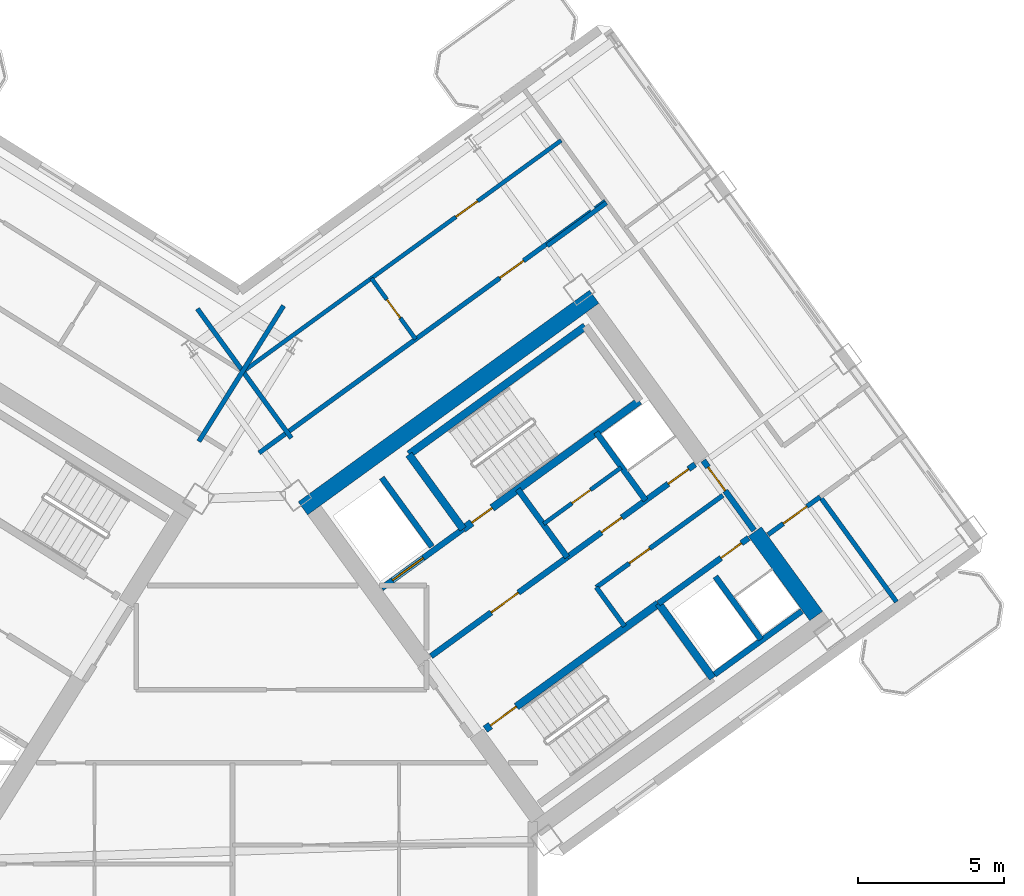
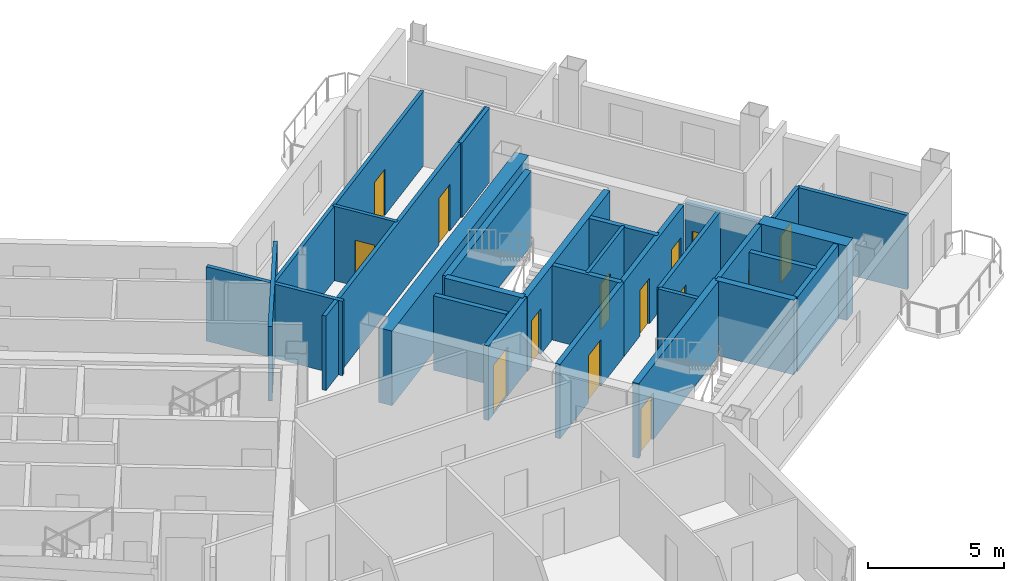
# One storey, part 14 of 20: 28 walls, 14 doors, 14 openings.
"""IFC4 building model written with IfcOpenShell, lengths in metres."""

from ifc_helpers import new_model, si_unit, direction, frame, frame_2d, origin, place, context, subcontext, project, spatial, rectangle, extrude, source, transform, mapped, material, layer, layer_set, type_object, element, fill, save


model = new_model("IFC4")

# Units and contexts
model_context = context("Model", 3, precision=1e-05, world=origin(), true_north=direction((0.0, 1.0)))
body_context = subcontext(model_context, "Body", "Model", "MODEL_VIEW")
ifc_project = project(units=[si_unit("LENGTHUNIT", "METRE"), si_unit("AREAUNIT", "SQUARE_METRE"), si_unit("VOLUMEUNIT", "CUBIC_METRE"), si_unit("PLANEANGLEUNIT", "RADIAN"), si_unit("MASSUNIT", "GRAM", prefix="KILO")], contexts=[model_context])

# Site, building, storey
site_placement = place(None, origin())
site = spatial("IfcSite", under=ifc_project, at=site_placement, CompositionType="ELEMENT")
building_placement = place(site_placement, origin())
building = spatial("IfcBuilding", under=site, at=building_placement, Name="Tlacorven Tower", CompositionType="ELEMENT")
storey_placement = place(building_placement, frame((0.0, 0.0, 204.0)))
storey = spatial("IfcBuildingStorey", under=building, at=storey_placement, Name="L51", CompositionType="ELEMENT", Elevation=204.0)

# Walls
ifc_material_1 = material(Name="Concrete C60/75", Category="concrete")
ifc_layer_1 = layer(ifc_material_1, 0.550048828125)
ifc_layer_set_1 = layer_set([ifc_layer_1], Name="Concrete C60/75")
wall_type_1 = type_object("IfcWallType", Name="WL-COR-550", PredefinedType="SHEAR", material=ifc_layer_set_1)
wall_1_placement = place(storey_placement, frame((44.364990234375, 24.142333984375, 0.0), z_axis=(0.0, 0.0, 1.0), x_axis=(0.809024304885, 0.587775190107, 0.0)))
element("IfcWall", 1, at=wall_1_placement, inside=storey, type_object=wall_type_1, Name="L51 E core shear wall S2", PredefinedType="SHEAR", context=body_context, shape_type="SweptSolid", body=[
    extrude(rectangle(XDim=12.340087890625, YDim=0.550048828125, at=frame_2d((6.169921875, 0.0))), origin(), (0.0, 0.0, 1.0), 3.35009765625),
])
wall_2_placement = place(storey_placement, frame((61.9580078125, 20.453857421875, 0.0), z_axis=(0.0, 0.0, 1.0), x_axis=(-0.587802113096, 0.809004744015, 0.0)))
element("IfcWall", 2, at=wall_2_placement, inside=storey, type_object=wall_type_1, Name="L51 E core end wall E2.1", PredefinedType="SHEAR", context=body_context, shape_type="SweptSolid", body=[
    extrude(rectangle(XDim=3.574951171875, YDim=0.550048828125, at=frame_2d((1.78759765625, 0.0))), origin(), (0.0, 0.0, 1.0), 3.35009765625),
])

# Wall, opening, door
ifc_material_2 = material(Name="Gypsum plasterboard acoustic partition", Category="gypsum")
ifc_layer_2 = layer(ifc_material_2, 0.159912109375)
ifc_layer_set_2 = layer_set([ifc_layer_2], Name="Gypsum plasterboard acoustic partition")
wall_type_2 = type_object("IfcWallType", Name="WL-DEM-160", PredefinedType="PARTITIONING", material=ifc_layer_set_2)
wall_3_placement = place(storey_placement, frame((54.421142578125, 21.436279296875, 0.0), z_axis=(0.0, 0.0, 1.0), x_axis=(0.809013710463, 0.587789772183, 0.0)))
wall_3 = element("IfcWall", 3, at=wall_3_placement, inside=storey, type_object=wall_type_2, Name="L51 partition 33", PredefinedType="PARTITIONING", context=body_context, shape_type="SweptSolid", body=[
    extrude(rectangle(XDim=5.360107421875, YDim=0.159912109375, at=frame_2d((2.68017578125, 0.0))), origin(), (0.0, 0.0, 1.0), 3.340087890625),
])
opening_1_placement = place(wall_3_placement, frame((1.39990234375, 0.0, 0.0)))
opening_1 = element("IfcOpeningElement", 4, at=opening_1_placement, cuts=wall_3, Name="Opening D19", PredefinedType="OPENING", context=body_context, shape_type="SweptSolid", body=[
    extrude(rectangle(XDim=0.860107421875, YDim=2.050048828125, at=frame_2d((0.43017578125, 1.02490234375))), frame((0.0, 0.08984375, 0.0), z_axis=(0.0, -1.0, 0.0), x_axis=(1.0, 0.0, 0.0)), (0.0, 0.0, 1.0), 0.179931640625),
])
ifc_material_3 = material(Name="Fire-rated steel door assembly", Category="steel")
door_type_1 = type_object("IfcDoorType", Name="DR-RSR-FD60-0860", OperationType="NOTDEFINED", PredefinedType="DOOR", material=ifc_material_3)
shared_shape_1 = source(origin(), body_context, "Body", "SweptSolid", [
    extrude(rectangle(XDim=0.860107421875, YDim=2.050048828125, at=frame_2d((0.43017578125, 1.02490234375))), frame((0.0, 0.02490234375, 0.0), z_axis=(0.0, -1.0, 0.0), x_axis=(1.0, 0.0, 0.0)), (0.0, 0.0, 1.0), 0.050048828125),
])
door_1_placement = place(opening_1_placement, origin())
door_1 = element("IfcDoor", 5, at=door_1_placement, inside=storey, type_object=door_type_1, Name="L51 Freed Core Store Door", OperationType="SINGLE_SWING_LEFT", OverallHeight=2.050048828125, OverallWidth=0.860107421875, PredefinedType="DOOR", context=body_context, shape_type="MappedRepresentation", body=[
    mapped(shared_shape_1, transform((0.0, 0.0, 0.0), scale=1.0)),
])
fill(opening_1, door_1)

# Walls
wall_4_placement = place(storey_placement, frame((55.390869140625, 20.1015625, 0.0), z_axis=(0.0, 0.0, 1.0), x_axis=(-0.58778447739, 0.809017557374, 0.0)))
element("IfcWall", 6, at=wall_4_placement, inside=storey, type_object=wall_type_2, Name="L51 partition 34", PredefinedType="PARTITIONING", context=body_context, shape_type="SweptSolid", body=[
    extrude(rectangle(XDim=1.64990234375, YDim=0.159912109375, at=frame_2d((0.824951171875, 0.0))), origin(), (0.0, 0.0, 1.0), 3.340087890625),
])
wall_5_placement = place(storey_placement, frame((43.70361328125, 31.086181640625, 0.0), z_axis=(0.0, 0.0, 1.0), x_axis=(-0.529906828443, -0.848055866774, 0.0)))
element("IfcWall", 7, at=wall_5_placement, inside=storey, type_object=wall_type_2, Name="L51 WC West Throat Wall", PredefinedType="PARTITIONING", context=body_context, shape_type="SweptSolid", body=[
    extrude(rectangle(XDim=5.479736328125, YDim=0.159912109375, at=frame_2d((2.73974609375, 0.0))), origin(), (0.0, 0.0, 1.0), 3.340087890625),
])

# Wall, opening, door
wall_6_placement = place(storey_placement, frame((60.306884765625, 23.240478515625, 0.0), z_axis=(0.0, 0.0, 1.0), x_axis=(0.80898466188, 0.58782975158, 0.0)))
wall_6 = element("IfcWall", 8, at=wall_6_placement, inside=storey, type_object=wall_type_2, Name="L51 partition 85", PredefinedType="PARTITIONING", context=body_context, shape_type="SweptSolid", body=[
    extrude(rectangle(XDim=2.207763671875, YDim=0.159912109375, at=frame_2d((1.10400390625, 0.0))), origin(), (0.0, 0.0, 1.0), 3.340087890625),
])
opening_2_placement = place(wall_6_placement, frame((0.64794921875, 0.0, 0.0)))
opening_2 = element("IfcOpeningElement", 9, at=opening_2_placement, cuts=wall_6, Name="Opening D11", PredefinedType="OPENING", context=body_context, shape_type="SweptSolid", body=[
    extrude(rectangle(XDim=1.0, YDim=2.10009765625, at=frame_2d((0.5, 1.050048828125))), frame((0.0, 0.08984375, 0.0), z_axis=(0.0, -1.0, 0.0), x_axis=(1.0, 0.0, 0.0)), (0.0, 0.0, 1.0), 0.179931640625),
])
door_type_2 = type_object("IfcDoorType", Name="DR-FLT-FD60-1000", OperationType="NOTDEFINED", PredefinedType="DOOR", material=ifc_material_3)
shared_shape_2 = source(origin(), body_context, "Body", "SweptSolid", [
    extrude(rectangle(XDim=1.0, YDim=2.10009765625, at=frame_2d((0.5, 1.050048828125))), frame((0.0, 0.02490234375, 0.0), z_axis=(0.0, -1.0, 0.0), x_axis=(1.0, 0.0, 0.0)), (0.0, 0.0, 1.0), 0.050048828125),
])
door_2_placement = place(opening_2_placement, frame((1.0, 0.0, 0.0), z_axis=(0.0, 0.0, 1.0), x_axis=(-1.0, 0.0, 0.0)))
door_2 = element("IfcDoor", 10, at=door_2_placement, inside=storey, type_object=door_type_2, Name="L51 door 051", OperationType="SINGLE_SWING_LEFT", OverallHeight=2.10009765625, OverallWidth=1.0, PredefinedType="DOOR", context=body_context, shape_type="MappedRepresentation", body=[
    mapped(shared_shape_2, transform((0.0, 0.0, 0.0), scale=1.0)),
])
fill(opening_2, door_2)

# Walls
wall_7_placement = place(storey_placement, frame((52.73876953125, 33.143310546875, 0.0), z_axis=(0.0, 0.0, 1.0), x_axis=(0.809000999347, 0.58780726693, 0.0)))
element("IfcWall", 11, at=wall_7_placement, inside=storey, type_object=wall_type_2, Name="L51 partition 86", PredefinedType="PARTITIONING", context=body_context, shape_type="SweptSolid", body=[
    extrude(rectangle(XDim=2.510009765625, YDim=0.159912109375, at=frame_2d((1.2548828125, 0.0))), origin(), (0.0, 0.0, 1.0), 3.340087890625),
])
wall_8_placement = place(storey_placement, frame((64.708740234375, 20.93798828125, 0.0), z_axis=(0.0, 0.0, 1.0), x_axis=(-0.587773666605, 0.809025411743, 0.0)))
element("IfcWall", 12, at=wall_8_placement, inside=storey, type_object=wall_type_2, Name="L51 partition 87", PredefinedType="PARTITIONING", context=body_context, shape_type="SweptSolid", body=[
    extrude(rectangle(XDim=4.4501953125, YDim=0.159912109375, at=frame_2d((2.22509765625, 0.0))), origin(), (0.0, 0.0, 1.0), 3.340087890625),
])

# Wall, opening, door
wall_9_placement = place(storey_placement, frame((42.86572265625, 26.04443359375, 0.0), z_axis=(0.0, 0.0, 1.0), x_axis=(0.809020254154, 0.587780765566, 0.0)))
wall_9 = element("IfcWall", 13, at=wall_9_placement, inside=storey, type_object=wall_type_2, Name="L51 partition 93", PredefinedType="PARTITIONING", context=body_context, shape_type="SweptSolid", body=[
    extrude(rectangle(XDim=14.670166015625, YDim=0.159912109375, at=frame_2d((7.3349609375, 0.0))), origin(), (0.0, 0.0, 1.0), 3.340087890625),
])
opening_3_placement = place(wall_9_placement, frame((10.199951171875, 0.0, 0.0)))
opening_3 = element("IfcOpeningElement", 14, at=opening_3_placement, cuts=wall_9, Name="Opening D11", PredefinedType="OPENING", context=body_context, shape_type="SweptSolid", body=[
    extrude(rectangle(XDim=1.0, YDim=2.10009765625, at=frame_2d((0.5, 1.050048828125))), frame((0.0, 0.08984375, 0.0), z_axis=(0.0, -1.0, 0.0), x_axis=(1.0, 0.0, 0.0)), (0.0, 0.0, 1.0), 0.179931640625),
])
door_3_placement = place(opening_3_placement, origin())
door_3 = element("IfcDoor", 15, at=door_3_placement, inside=storey, type_object=door_type_2, Name="L51 door 056", OperationType="SINGLE_SWING_RIGHT", OverallHeight=2.10009765625, OverallWidth=1.0, PredefinedType="DOOR", context=body_context, shape_type="MappedRepresentation", body=[
    mapped(shared_shape_2, transform((0.0, 0.0, 0.0), scale=1.0)),
])
fill(opening_3, door_3)

# Wall
wall_10_placement = place(storey_placement, frame((43.969482421875, 26.549560546875, 0.0), z_axis=(0.0, 0.0, 1.0), x_axis=(-0.587776919386, 0.80902304852, 0.0)))
element("IfcWall", 16, at=wall_10_placement, inside=storey, type_object=wall_type_2, Name="L51 EC West Throat Wall", PredefinedType="PARTITIONING", context=body_context, shape_type="SweptSolid", body=[
    extrude(rectangle(XDim=5.47998046875, YDim=0.159912109375, at=frame_2d((2.739990234375, 0.0))), origin(), (0.0, 0.0, 1.0), 3.340087890625),
])

# Wall, opening, door
ifc_material_4 = material(Name="Moisture-resistant gypsum plumbing wall", Category="gypsum")
ifc_layer_3 = layer(ifc_material_4, 0.139892578125)
ifc_layer_set_3 = layer_set([ifc_layer_3], Name="Moisture-resistant gypsum plumbing wall")
wall_type_3 = type_object("IfcWallType", Name="WL-PLM-140", PredefinedType="PLUMBINGWALL", material=ifc_layer_set_3)
wall_11_placement = place(storey_placement, frame((52.617919921875, 23.612060546875, 0.0), z_axis=(0.0, 0.0, 1.0), x_axis=(0.809009587469, 0.587795446889, 0.0)))
wall_11 = element("IfcWall", 17, at=wall_11_placement, inside=storey, type_object=wall_type_3, Name="L51 partition 43", PredefinedType="PLUMBINGWALL", context=body_context, shape_type="SweptSolid", body=[
    extrude(rectangle(XDim=3.280029296875, YDim=0.139892578125, at=frame_2d((1.64013671875, 0.0))), origin(), (0.0, 0.0, 1.0), 3.340087890625),
])
opening_4_placement = place(wall_11_placement, frame((1.199951171875, 0.0, 0.0)))
opening_4 = element("IfcOpeningElement", 18, at=opening_4_placement, cuts=wall_11, Name="Opening D22", PredefinedType="OPENING", context=body_context, shape_type="SweptSolid", body=[
    extrude(rectangle(XDim=0.780029296875, YDim=2.050048828125, at=frame_2d((0.39013671875, 1.02490234375))), frame((0.0, 0.080078125, 0.0), z_axis=(0.0, -1.0, 0.0), x_axis=(1.0, 0.0, 0.0)), (0.0, 0.0, 1.0), 0.159912109375),
])
ifc_material_5 = material(Name="Powder-coated aluminium and timber door", Category="wood")
door_type_3 = type_object("IfcDoorType", Name="DR-INT-WET-0780", OperationType="NOTDEFINED", PredefinedType="DOOR", material=ifc_material_5)
shared_shape_3 = source(origin(), body_context, "Body", "SweptSolid", [
    extrude(rectangle(XDim=0.780029296875, YDim=2.050048828125, at=frame_2d((0.39013671875, 1.02490234375))), frame((0.0, 0.02490234375, 0.0), z_axis=(0.0, -1.0, 0.0), x_axis=(1.0, 0.0, 0.0)), (0.0, 0.0, 1.0), 0.050048828125),
])
door_4_placement = place(opening_4_placement, origin())
door_4 = element("IfcDoor", 19, at=door_4_placement, inside=storey, type_object=door_type_3, Name="L51 door 018", OperationType="SINGLE_SWING_LEFT", OverallHeight=2.050048828125, OverallWidth=0.780029296875, PredefinedType="DOOR", context=body_context, shape_type="MappedRepresentation", body=[
    mapped(shared_shape_3, transform((0.0, 0.0, 0.0), scale=1.0)),
])
fill(opening_4, door_4)

wall_12_placement = place(storey_placement, frame((42.376708984375, 28.878173828125, 0.0), z_axis=(0.0, 0.0, 1.0), x_axis=(0.809020411523, 0.587780548963, 0.0)))
wall_12 = element("IfcWall", 20, at=wall_12_placement, inside=storey, type_object=wall_type_3, Name="L51 partition 95", PredefinedType="PLUMBINGWALL", context=body_context, shape_type="SweptSolid", body=[
    extrude(rectangle(XDim=13.39990234375, YDim=0.139892578125, at=frame_2d((6.699951171875, 0.0))), origin(), (0.0, 0.0, 1.0), 3.340087890625),
])
opening_5_placement = place(wall_12_placement, frame((8.93994140625, 0.0, 0.0)))
opening_5 = element("IfcOpeningElement", 21, at=opening_5_placement, cuts=wall_12, Name="Opening D12", PredefinedType="OPENING", context=body_context, shape_type="SweptSolid", body=[
    extrude(rectangle(XDim=0.919921875, YDim=2.080078125, at=frame_2d((0.4599609375, 1.0400390625))), frame((0.0, 0.080078125, 0.0), z_axis=(0.0, -1.0, 0.0), x_axis=(1.0, 0.0, 0.0)), (0.0, 0.0, 1.0), 0.159912109375),
])
door_type_4 = type_object("IfcDoorType", Name="DR-INT-ROOM-0920", OperationType="NOTDEFINED", PredefinedType="DOOR", material=ifc_material_5)
shared_shape_4 = source(origin(), body_context, "Body", "SweptSolid", [
    extrude(rectangle(XDim=0.919921875, YDim=2.080078125, at=frame_2d((0.4599609375, 1.0400390625))), frame((0.0, 0.02490234375, 0.0), z_axis=(0.0, -1.0, 0.0), x_axis=(1.0, 0.0, 0.0)), (0.0, 0.0, 1.0), 0.050048828125),
])
door_5_placement = place(opening_5_placement, origin())
door_5 = element("IfcDoor", 22, at=door_5_placement, inside=storey, type_object=door_type_4, Name="L51 door 057", OperationType="SINGLE_SWING_LEFT", OverallHeight=2.080078125, OverallWidth=0.919921875, PredefinedType="DOOR", context=body_context, shape_type="MappedRepresentation", body=[
    mapped(shared_shape_4, transform((0.0, 0.0, 0.0), scale=1.0)),
])
fill(opening_5, door_5)

wall_13_placement = place(storey_placement, frame((48.2294921875, 29.94140625, 0.0), z_axis=(0.0, 0.0, 1.0), x_axis=(-0.587772116736, 0.809026537752, 0.0)))
wall_13 = element("IfcWall", 23, at=wall_13_placement, inside=storey, type_object=wall_type_3, Name="L51 partition 96", PredefinedType="PLUMBINGWALL", context=body_context, shape_type="SweptSolid", body=[
    extrude(rectangle(XDim=2.579833984375, YDim=0.139892578125, at=frame_2d((1.2900390625, 0.0))), origin(), (0.0, 0.0, 1.0), 3.340087890625),
])
opening_6_placement = place(wall_13_placement, frame((0.89990234375, 0.0, 0.0)))
opening_6 = element("IfcOpeningElement", 24, at=opening_6_placement, cuts=wall_13, Name="Opening D22", PredefinedType="OPENING", context=body_context, shape_type="SweptSolid", body=[
    extrude(rectangle(XDim=0.780029296875, YDim=2.050048828125, at=frame_2d((0.39013671875, 1.02490234375))), frame((0.0, 0.080078125, 0.0), z_axis=(0.0, -1.0, 0.0), x_axis=(1.0, 0.0, 0.0)), (0.0, 0.0, 1.0), 0.159912109375),
])
door_6_placement = place(opening_6_placement, origin())
door_6 = element("IfcDoor", 25, at=door_6_placement, inside=storey, type_object=door_type_3, Name="L51 door 058", OperationType="SINGLE_SWING_RIGHT", OverallHeight=2.050048828125, OverallWidth=0.780029296875, PredefinedType="DOOR", context=body_context, shape_type="MappedRepresentation", body=[
    mapped(shared_shape_3, transform((0.0, 0.0, 0.0), scale=1.0)),
])
fill(opening_6, door_6)

ifc_material_6 = material(Name="Concrete C40/50", Category="concrete")
ifc_layer_4 = layer(ifc_material_6, 0.199951171875)
ifc_layer_set_4 = layer_set([ifc_layer_4], Name="Concrete C40/50")
wall_type_4 = type_object("IfcWallType", Name="WL-SHF-200", PredefinedType="STANDARD", material=ifc_layer_set_4)
wall_14_placement = place(storey_placement, frame((47.0654296875, 21.4072265625, 0.0), z_axis=(0.0, 0.0, 1.0), x_axis=(0.809032984992, 0.587763242466, 0.0)))
wall_14 = element("IfcWall", 26, at=wall_14_placement, inside=storey, type_object=wall_type_4, Name="L51 Core E Firefighting Lift Shaft Front Wall", PredefinedType="STANDARD", context=body_context, shape_type="SweptSolid", body=[
    extrude(rectangle(XDim=3.447998046875, YDim=0.199951171875, at=frame_2d((1.72412109375, 0.0))), origin(), (0.0, 0.0, 1.0), 3.340087890625),
])
opening_7_placement = place(wall_14_placement, frame((0.4580078125, 0.0, 0.0)))
opening_7 = element("IfcOpeningElement", 27, at=opening_7_placement, cuts=wall_14, Name="Opening LD03", PredefinedType="OPENING", context=body_context, shape_type="SweptSolid", body=[
    extrude(rectangle(XDim=1.300048828125, YDim=2.199951171875, at=frame_2d((0.64990234375, 1.10009765625))), frame((0.0, 0.10986328125, 0.0), z_axis=(0.0, -1.0, 0.0), x_axis=(1.0, 0.0, 0.0)), (0.0, 0.0, 1.0), 0.219970703125),
])
door_type_5 = type_object("IfcDoorType", Name="DR-LFT-SLID-1300", OperationType="DOUBLE_DOOR_SLIDING", PredefinedType="DOOR", material=ifc_material_3)
shared_shape_5 = source(origin(), body_context, "Body", "SweptSolid", [
    extrude(rectangle(XDim=1.300048828125, YDim=2.199951171875, at=frame_2d((0.64990234375, 1.10009765625))), frame((0.0, 0.02490234375, 0.0), z_axis=(0.0, -1.0, 0.0), x_axis=(1.0, 0.0, 0.0)), (0.0, 0.0, 1.0), 0.050048828125),
])
door_7_placement = place(opening_7_placement, origin())
door_7 = element("IfcDoor", 28, at=door_7_placement, inside=storey, type_object=door_type_5, Name="L51 Lift FFL-E1 Sliding Landing Door", OperationType="DOUBLE_DOOR_SLIDING", OverallHeight=2.199951171875, OverallWidth=1.300048828125, PredefinedType="DOOR", context=body_context, shape_type="MappedRepresentation", body=[
    mapped(shared_shape_5, transform((0.0, 0.0, 0.0), scale=1.0)),
])
fill(opening_7, door_7)

wall_15_placement = place(storey_placement, frame((48.75830078125, 19.0771484375, 0.0), z_axis=(0.0, 0.0, 1.0), x_axis=(0.809005065155, 0.587801671104, 0.0)))
wall_15 = element("IfcWall", 29, at=wall_15_placement, inside=storey, type_object=wall_type_4, Name="L51 Core E Smoke Lobby Wall", PredefinedType="STANDARD", context=body_context, shape_type="SweptSolid", body=[
    extrude(rectangle(XDim=5.767822265625, YDim=0.199951171875, at=frame_2d((2.8837890625, 0.0))), origin(), (0.0, 0.0, 1.0), 3.340087890625),
])
opening_8_placement = place(wall_15_placement, frame((2.548095703125, 0.0, 0.0)))
opening_8 = element("IfcOpeningElement", 30, at=opening_8_placement, cuts=wall_15, Name="Opening D09", PredefinedType="OPENING", context=body_context, shape_type="SweptSolid", body=[
    extrude(rectangle(XDim=1.14990234375, YDim=2.10009765625, at=frame_2d((0.574951171875, 1.050048828125))), frame((0.0, 0.10986328125, 0.0), z_axis=(0.0, -1.0, 0.0), x_axis=(1.0, 0.0, 0.0)), (0.0, 0.0, 1.0), 0.219970703125),
])
door_type_6 = type_object("IfcDoorType", Name="DR-FFL-FD60-1150", OperationType="NOTDEFINED", PredefinedType="DOOR", material=ifc_material_3)
shared_shape_6 = source(origin(), body_context, "Body", "SweptSolid", [
    extrude(rectangle(XDim=1.14990234375, YDim=2.10009765625, at=frame_2d((0.574951171875, 1.050048828125))), frame((0.0, 0.02490234375, 0.0), z_axis=(0.0, -1.0, 0.0), x_axis=(1.0, 0.0, 0.0)), (0.0, 0.0, 1.0), 0.050048828125),
])
door_8_placement = place(opening_8_placement, origin())
door_8 = element("IfcDoor", 31, at=door_8_placement, inside=storey, type_object=door_type_6, Name="L51 Firefighting Lobby E Fire Door", OperationType="SINGLE_SWING_LEFT", OverallHeight=2.10009765625, OverallWidth=1.14990234375, PredefinedType="DOOR", context=body_context, shape_type="MappedRepresentation", body=[
    mapped(shared_shape_6, transform((0.0, 0.0, 0.0), scale=1.0)),
])
fill(opening_8, door_8)

wall_16_placement = place(storey_placement, frame((56.552978515625, 20.884033203125, 0.0), z_axis=(0.0, 0.0, 1.0), x_axis=(0.809023564264, 0.58777620951, 0.0)))
wall_16 = element("IfcWall", 32, at=wall_16_placement, inside=storey, type_object=wall_type_4, Name="L51 Core E South Lift Shaft Wall", PredefinedType="STANDARD", context=body_context, shape_type="SweptSolid", body=[
    extrude(rectangle(XDim=3.818115234375, YDim=0.199951171875, at=frame_2d((1.9091796875, 0.0))), origin(), (0.0, 0.0, 1.0), 3.340087890625),
])
opening_9_placement = place(wall_16_placement, frame((2.64990234375, 0.0, 0.0)))
opening_9 = element("IfcOpeningElement", 33, at=opening_9_placement, cuts=wall_16, Name="Opening D19", PredefinedType="OPENING", context=body_context, shape_type="SweptSolid", body=[
    extrude(rectangle(XDim=0.860107421875, YDim=2.050048828125, at=frame_2d((0.43017578125, 1.02490234375))), frame((0.0, 0.10986328125, 0.0), z_axis=(0.0, -1.0, 0.0), x_axis=(1.0, 0.0, 0.0)), (0.0, 0.0, 1.0), 0.219970703125),
])
door_9_placement = place(opening_9_placement, origin())
door_9 = element("IfcDoor", 34, at=door_9_placement, inside=storey, type_object=door_type_1, Name="L51 Smoke Extract Riser Access Door", OperationType="SINGLE_SWING_RIGHT", OverallHeight=2.050048828125, OverallWidth=0.860107421875, PredefinedType="DOOR", context=body_context, shape_type="MappedRepresentation", body=[
    mapped(shared_shape_1, transform((0.0, 0.0, 0.0), scale=1.0)),
])
fill(opening_9, door_9)

# Walls
wall_17_placement = place(storey_placement, frame((48.78564453125, 22.830078125, 0.0), z_axis=(0.0, 0.0, 1.0), x_axis=(-0.587783856777, 0.809018008275, 0.0)))
element("IfcWall", 35, at=wall_17_placement, inside=storey, type_object=wall_type_4, Name="L51 partition 35", PredefinedType="STANDARD", context=body_context, shape_type="SweptSolid", body=[
    extrude(rectangle(XDim=2.919921875, YDim=0.199951171875, at=frame_2d((1.4599609375, 0.0))), origin(), (0.0, 0.0, 1.0), 3.340087890625),
])
wall_18_placement = place(storey_placement, frame((60.066650390625, 19.654541015625, 0.0), z_axis=(0.0, 0.0, 1.0), x_axis=(-0.587800520745, 0.809005900975, 0.0)))
element("IfcWall", 36, at=wall_18_placement, inside=storey, type_object=wall_type_4, Name="L51 partition 36", PredefinedType="STANDARD", context=body_context, shape_type="SweptSolid", body=[
    extrude(rectangle(XDim=2.659912109375, YDim=0.199951171875, at=frame_2d((1.330078125, 0.0))), origin(), (0.0, 0.0, 1.0), 3.340087890625),
])
wall_19_placement = place(storey_placement, frame((58.47216796875, 18.446533203125, 0.0), z_axis=(0.0, 0.0, 1.0), x_axis=(0.809018631237, 0.587782999339, 0.0)))
element("IfcWall", 37, at=wall_19_placement, inside=storey, type_object=wall_type_4, Name="L51 partition 38", PredefinedType="STANDARD", context=body_context, shape_type="SweptSolid", body=[
    extrude(rectangle(XDim=3.697998046875, YDim=0.199951171875, at=frame_2d((1.84912109375, 0.0))), origin(), (0.0, 0.0, 1.0), 3.340087890625),
])
wall_20_placement = place(storey_placement, frame((53.424560546875, 22.467529296875, 0.0), z_axis=(0.0, 0.0, 1.0), x_axis=(-0.5877230039, 0.809062216821, 0.0)))
element("IfcWall", 38, at=wall_20_placement, inside=storey, type_object=wall_type_4, Name="L51 partition 40", PredefinedType="STANDARD", context=body_context, shape_type="SweptSolid", body=[
    extrude(rectangle(XDim=2.8798828125, YDim=0.199951171875, at=frame_2d((1.43994140625, 0.0))), origin(), (0.0, 0.0, 1.0), 3.340087890625),
])
wall_21_placement = place(storey_placement, frame((56.110595703125, 24.4189453125, 0.0), z_axis=(0.0, 0.0, 1.0), x_axis=(-0.58777848983, 0.809021907548, 0.0)))
element("IfcWall", 39, at=wall_21_placement, inside=storey, type_object=wall_type_4, Name="L51 partition 41", PredefinedType="STANDARD", context=body_context, shape_type="SweptSolid", body=[
    extrude(rectangle(XDim=2.880126953125, YDim=0.199951171875, at=frame_2d((1.43994140625, 0.0))), origin(), (0.0, 0.0, 1.0), 3.340087890625),
])

# Wall, openings, doors
wall_22_placement = place(storey_placement, frame((53.424560546875, 22.467529296875, 0.0), z_axis=(0.0, 0.0, 1.0), x_axis=(0.809024377198, 0.587775090574, 0.0)))
wall_22 = element("IfcWall", 40, at=wall_22_placement, inside=storey, type_object=wall_type_4, Name="L51 Core E North Service Wall", PredefinedType="STANDARD", context=body_context, shape_type="SweptSolid", body=[
    extrude(rectangle(XDim=5.41796875, YDim=0.199951171875, at=frame_2d((2.708984375, 0.0))), origin(), (0.0, 0.0, 1.0), 3.340087890625),
])
opening_10_placement = place(wall_22_placement, frame((4.280029296875, 0.0, 0.0)))
opening_10 = element("IfcOpeningElement", 41, at=opening_10_placement, cuts=wall_22, Name="Opening D19", PredefinedType="OPENING", context=body_context, shape_type="SweptSolid", body=[
    extrude(rectangle(XDim=0.860107421875, YDim=2.050048828125, at=frame_2d((0.43017578125, 1.02490234375))), frame((0.0, 0.10986328125, 0.0), z_axis=(0.0, -1.0, 0.0), x_axis=(1.0, 0.0, 0.0)), (0.0, 0.0, 1.0), 0.219970703125),
])
opening_11_placement = place(wall_22_placement, frame((1.449951171875, 0.0, 0.0)))
opening_11 = element("IfcOpeningElement", 42, at=opening_11_placement, cuts=wall_22, Name="Opening D19", PredefinedType="OPENING", context=body_context, shape_type="SweptSolid", body=[
    extrude(rectangle(XDim=0.860107421875, YDim=2.050048828125, at=frame_2d((0.43017578125, 1.02490234375))), frame((0.0, 0.10986328125, 0.0), z_axis=(0.0, -1.0, 0.0), x_axis=(1.0, 0.0, 0.0)), (0.0, 0.0, 1.0), 0.219970703125),
])
door_10_placement = place(opening_10_placement, frame((0.860107421875, 0.0, 0.0), z_axis=(0.0, 0.0, 1.0), x_axis=(-1.0, 0.0, 0.0)))
door_10 = element("IfcDoor", 43, at=door_10_placement, inside=storey, type_object=door_type_1, Name="L51 Electrical Riser Access Door E", OperationType="SINGLE_SWING_LEFT", OverallHeight=2.050048828125, OverallWidth=0.860107421875, PredefinedType="DOOR", context=body_context, shape_type="MappedRepresentation", body=[
    mapped(shared_shape_1, transform((0.0, 0.0, 0.0), scale=1.0)),
])
fill(opening_10, door_10)
door_11_placement = place(opening_11_placement, frame((0.860107421875, 0.0, 0.0), z_axis=(0.0, 0.0, 1.0), x_axis=(-1.0, 0.0, 0.0)))
door_11 = element("IfcDoor", 44, at=door_11_placement, inside=storey, type_object=door_type_1, Name="L51 Cleaner Store Access Door E", OperationType="SINGLE_SWING_RIGHT", OverallHeight=2.050048828125, OverallWidth=0.860107421875, PredefinedType="DOOR", context=body_context, shape_type="MappedRepresentation", body=[
    mapped(shared_shape_1, transform((0.0, 0.0, 0.0), scale=1.0)),
])
fill(opening_11, door_11)

# Wall, opening, door
wall_23_placement = place(storey_placement, frame((59.827392578125, 23.386474609375, 0.0), z_axis=(0.0, 0.0, 1.0), x_axis=(-0.587803840107, 0.809003489211, 0.0)))
wall_23 = element("IfcWall", 45, at=wall_23_placement, inside=storey, type_object=wall_type_4, Name="L51 partition 84", PredefinedType="STANDARD", context=body_context, shape_type="SweptSolid", body=[
    extrude(rectangle(XDim=2.960205078125, YDim=0.199951171875, at=frame_2d((1.47998046875, 0.0))), origin(), (0.0, 0.0, 1.0), 3.340087890625),
])
opening_12_placement = place(wall_23_placement, frame((1.679931640625, 0.0, 0.0)))
opening_12 = element("IfcOpeningElement", 46, at=opening_12_placement, cuts=wall_23, Name="Opening D11", PredefinedType="OPENING", context=body_context, shape_type="SweptSolid", body=[
    extrude(rectangle(XDim=1.0, YDim=2.10009765625, at=frame_2d((0.5, 1.050048828125))), frame((0.0, 0.10986328125, 0.0), z_axis=(0.0, -1.0, 0.0), x_axis=(1.0, 0.0, 0.0)), (0.0, 0.0, 1.0), 0.219970703125),
])
door_12_placement = place(opening_12_placement, origin())
door_12 = element("IfcDoor", 47, at=door_12_placement, inside=storey, type_object=door_type_2, Name="L51 door 052", OperationType="SINGLE_SWING_RIGHT", OverallHeight=2.10009765625, OverallWidth=1.0, PredefinedType="DOOR", context=body_context, shape_type="MappedRepresentation", body=[
    mapped(shared_shape_2, transform((0.0, 0.0, 0.0), scale=1.0)),
])
fill(opening_12, door_12)

# Wall
ifc_material_7 = material(Name="Concrete C50/60", Category="concrete")
ifc_layer_5 = layer(ifc_material_7, 0.260009765625)
ifc_layer_set_5 = layer_set([ifc_layer_5], Name="Concrete C50/60")
wall_type_5 = type_object("IfcWallType", Name="WL-STW-260", PredefinedType="SHEAR", material=ifc_layer_set_5)
wall_24_placement = place(storey_placement, frame((48.005615234375, 25.996337890625, 0.0), z_axis=(0.0, 0.0, 1.0), x_axis=(0.80901903764, 0.587782439969, 0.0)))
element("IfcWall", 48, at=wall_24_placement, inside=storey, type_object=wall_type_5, Name="L51 Stair E1 Far Shear Wall", PredefinedType="SHEAR", context=body_context, shape_type="SweptSolid", body=[
    extrude(rectangle(XDim=7.4599609375, YDim=0.260009765625, at=frame_2d((3.72998046875, 0.0))), origin(), (0.0, 0.0, 1.0), 3.35009765625),
])

# Wall, opening, door
wall_25_placement = place(storey_placement, frame((49.863037109375, 23.439697265625, 0.0), z_axis=(0.0, 0.0, 1.0), x_axis=(0.809003474932, 0.587803859759, 0.0)))
wall_25 = element("IfcWall", 49, at=wall_25_placement, inside=storey, type_object=wall_type_5, Name="L51 Stair E1 Lobby Shear Wall", PredefinedType="SHEAR", context=body_context, shape_type="SweptSolid", body=[
    extrude(rectangle(XDim=7.4599609375, YDim=0.260009765625, at=frame_2d((3.72998046875, 0.0))), origin(), (0.0, 0.0, 1.0), 3.35009765625),
])
opening_13_placement = place(wall_25_placement, frame((0.360107421875, 0.0, 0.0)))
opening_13 = element("IfcOpeningElement", 50, at=opening_13_placement, cuts=wall_25, Name="Opening D19", PredefinedType="OPENING", context=body_context, shape_type="SweptSolid", body=[
    extrude(rectangle(XDim=0.860107421875, YDim=2.050048828125, at=frame_2d((0.43017578125, 1.02490234375))), frame((0.0, 0.14013671875, 0.0), z_axis=(0.0, -1.0, 0.0), x_axis=(1.0, 0.0, 0.0)), (0.0, 0.0, 1.0), 0.280029296875),
])
door_13_placement = place(opening_13_placement, frame((0.860107421875, 0.0, 0.0), z_axis=(0.0, 0.0, 1.0), x_axis=(-1.0, 0.0, 0.0)))
door_13 = element("IfcDoor", 51, at=door_13_placement, inside=storey, type_object=door_type_1, Name="L51 Exit Stair E1 Fire Door", OperationType="SINGLE_SWING_LEFT", OverallHeight=2.050048828125, OverallWidth=0.860107421875, PredefinedType="DOOR", context=body_context, shape_type="MappedRepresentation", body=[
    mapped(shared_shape_1, transform((0.0, 0.0, 0.0), scale=1.0)),
])
fill(opening_13, door_13)

# Wall
wall_26_placement = place(storey_placement, frame((49.85498046875, 23.433837890625, 0.0), z_axis=(0.0, 0.0, 1.0), x_axis=(-0.58776738483, 0.809029975545, 0.0)))
element("IfcWall", 52, at=wall_26_placement, inside=storey, type_object=wall_type_5, Name="L51 Stair E1 West Shear Wall", PredefinedType="SHEAR", context=body_context, shape_type="SweptSolid", body=[
    extrude(rectangle(XDim=3.16015625, YDim=0.260009765625, at=frame_2d((1.580078125, 0.0))), origin(), (0.0, 0.0, 1.0), 3.35009765625),
])

# Wall, opening, door
wall_27_placement = place(storey_placement, frame((50.61474609375, 16.569580078125, 0.0), z_axis=(0.0, 0.0, 1.0), x_axis=(0.809028366311, 0.587769599847, 0.0)))
wall_27 = element("IfcWall", 53, at=wall_27_placement, inside=storey, type_object=wall_type_5, Name="L51 Stair E2 Lobby Shear Wall", PredefinedType="SHEAR", context=body_context, shape_type="SweptSolid", body=[
    extrude(rectangle(XDim=7.330078125, YDim=0.260009765625, at=frame_2d((3.6650390625, 0.0))), origin(), (0.0, 0.0, 1.0), 3.35009765625),
])
opening_14_placement = place(wall_27_placement, frame((0.219970703125, 0.0, 0.0)))
opening_14 = element("IfcOpeningElement", 54, at=opening_14_placement, cuts=wall_27, Name="Opening D07", PredefinedType="OPENING", context=body_context, shape_type="SweptSolid", body=[
    extrude(rectangle(XDim=1.10009765625, YDim=2.10009765625, at=frame_2d((0.550048828125, 1.050048828125))), frame((0.0, 0.14013671875, 0.0), z_axis=(0.0, -1.0, 0.0), x_axis=(1.0, 0.0, 0.0)), (0.0, 0.0, 1.0), 0.280029296875),
])
door_type_7 = type_object("IfcDoorType", Name="DR-STR-FD90-1100", OperationType="NOTDEFINED", PredefinedType="DOOR", material=ifc_material_3)
shared_shape_7 = source(origin(), body_context, "Body", "SweptSolid", [
    extrude(rectangle(XDim=1.10009765625, YDim=2.10009765625, at=frame_2d((0.550048828125, 1.050048828125))), frame((0.0, 0.02490234375, 0.0), z_axis=(0.0, -1.0, 0.0), x_axis=(1.0, 0.0, 0.0)), (0.0, 0.0, 1.0), 0.050048828125),
])
door_14_placement = place(opening_14_placement, origin())
door_14 = element("IfcDoor", 55, at=door_14_placement, inside=storey, type_object=door_type_7, Name="L51 Exit Stair E2 Fire Door", OperationType="SINGLE_SWING_RIGHT", OverallHeight=2.10009765625, OverallWidth=1.10009765625, PredefinedType="DOOR", context=body_context, shape_type="MappedRepresentation", body=[
    mapped(shared_shape_7, transform((0.0, 0.0, 0.0), scale=1.0)),
])
fill(opening_14, door_14)

# Wall
wall_28_placement = place(storey_placement, frame((58.410400390625, 18.327392578125, 0.0), z_axis=(0.0, 0.0, 1.0), x_axis=(-0.58776738483, 0.809029975545, 0.0)))
element("IfcWall", 56, at=wall_28_placement, inside=storey, type_object=wall_type_5, Name="L51 Stair E2 East Shear Wall", PredefinedType="SHEAR", context=body_context, shape_type="SweptSolid", body=[
    extrude(rectangle(XDim=3.16015625, YDim=0.260009765625, at=frame_2d((1.580078125, 0.0))), origin(), (0.0, 0.0, 1.0), 3.35009765625),
])

save(model, "model.ifc")
